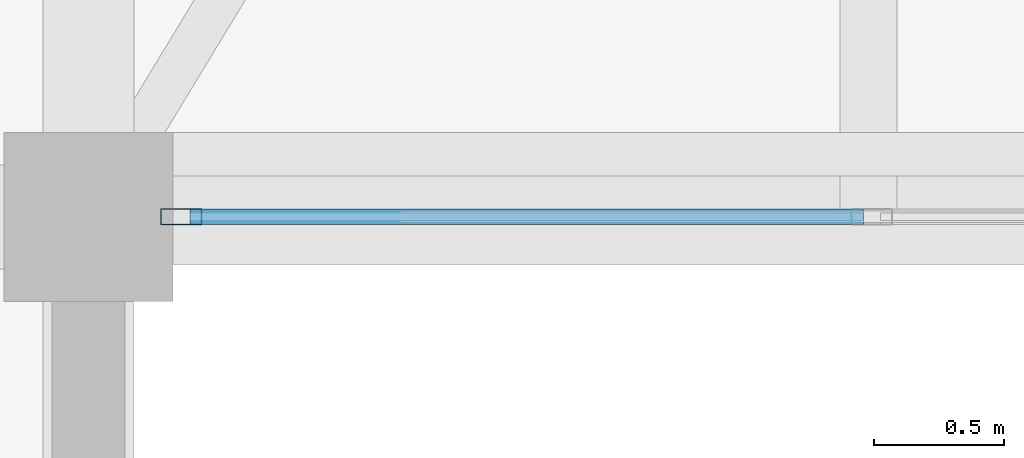
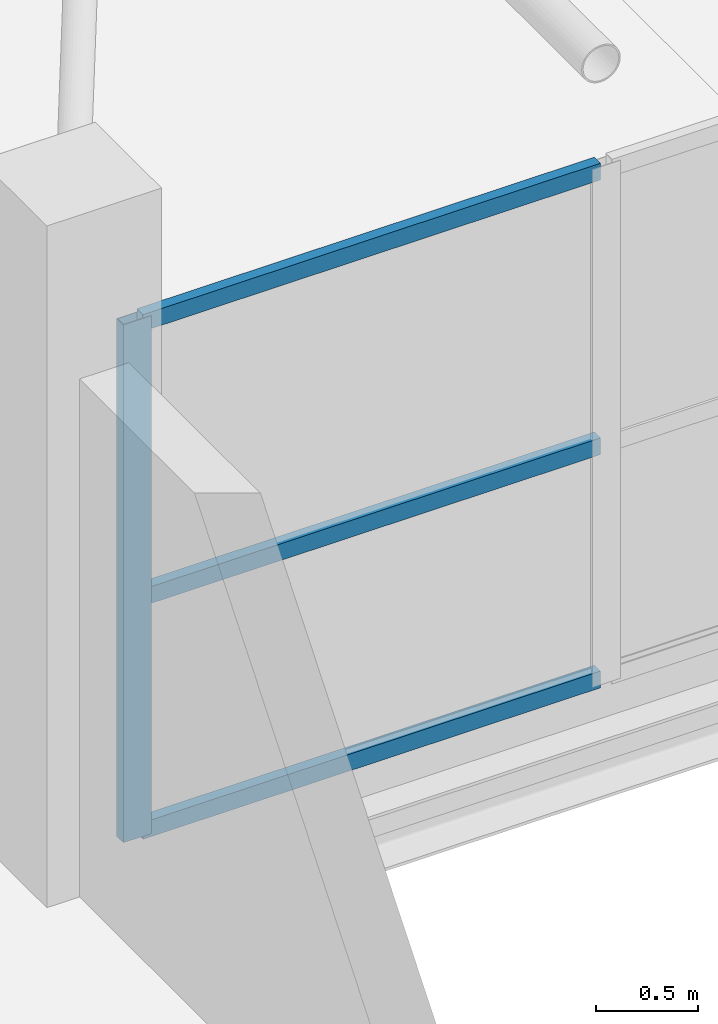
# One storey, part 9 of 66: 4 members, 1 element without a shape of its own.
"""IFC4 building model written with IfcOpenShell, lengths in metres."""

from ifc_helpers import new_model, si_unit, direction, frame, origin, origin_2d, place, context, subcontext, project, spatial, hollow_rectangle, extrude, material, layer, layer_set, material_profile, profile_set, type_object, element, aggregate, save


model = new_model("IFC4")

# Units and contexts
model_context = context("Model", 3, precision=1e-05, world=origin(), true_north=direction((0.0, 1.0)))
body_context = subcontext(model_context, "Body", "Model", "MODEL_VIEW")
ifc_project = project(units=[si_unit("LENGTHUNIT", "METRE"), si_unit("AREAUNIT", "SQUARE_METRE"), si_unit("VOLUMEUNIT", "CUBIC_METRE"), si_unit("PLANEANGLEUNIT", "RADIAN"), si_unit("MASSUNIT", "GRAM", prefix="KILO")], contexts=[model_context])

# Site, building, storey
site_placement = place(None, origin())
site = spatial("IfcSite", under=ifc_project, at=site_placement, CompositionType="ELEMENT")
building_placement = place(site_placement, origin())
building = spatial("IfcBuilding", under=site, at=building_placement, Name="Sillaruma Civic Art Gallery", CompositionType="ELEMENT")
storey_placement = place(building_placement, frame((0.0, 0.0, 62.219970703125)))
storey = spatial("IfcBuildingStorey", under=building, at=storey_placement, Name="L12", CompositionType="ELEMENT", Elevation=62.219970703125)

# Curtain wall, members
ifc_material = material(Name="Thermally Broken Extruded Aluminium 6063-T6", Category="aluminium")
ifc_layer = layer(ifc_material, 0.159912109375, Name="Thermally Broken Extruded Aluminium 6063-T6")
ifc_layer_set = layer_set([ifc_layer], Name="Thermally Broken Extruded Aluminium 6063-T6")
curtain_wall_type = type_object("IfcCurtainWallType", Name="CW-UNI-104", PredefinedType="NOTDEFINED", material=ifc_layer_set)
curtain_wall_placement = place(storey_placement, origin())
curtain_wall = element("IfcCurtainWall", 1, at=curtain_wall_placement, inside=storey, type_object=curtain_wall_type, Name="Unitised Curtain Wall CW-104 (CW-BRG-S-L12-S)", PredefinedType="NOTDEFINED")
ifc_material_profile_1 = material_profile(ifc_material, hollow_rectangle(XDim=0.06494140625, YDim=0.159912109375, WallThickness=0.00390625, at=origin_2d()), Name="CWM65x160")
ifc_profile_set_1 = profile_set([ifc_material_profile_1], Name="Thermally Broken Extruded Aluminium 6063-T6")
member_type_1 = type_object("IfcMemberType", Name="MEM-MUL-CWM65x160", PredefinedType="MULLION", material=ifc_profile_set_1)
member_1_placement = place(storey_placement, frame((92.357421875, 39.60009765625, 0.0), z_axis=(0.0, 0.0, 1.0), x_axis=(0.0, 1.0, 0.0)))
member_1 = element("IfcMember", 2, at=member_1_placement, type_object=member_type_1, Name="CW-104 mullion 1", PredefinedType="MULLION", context=body_context, shape_type="SweptSolid", body=[
    extrude(hollow_rectangle(XDim=0.06494140625, YDim=0.159912109375, WallThickness=0.00390625, at=origin_2d()), origin(), (0.0, 0.0, 1.0), 3.10009765625),
])
ifc_material_profile_2 = material_profile(ifc_material, hollow_rectangle(XDim=0.06005859375, YDim=0.10009765625, WallThickness=0.003173828125, at=origin_2d()), Name="CWT60x100")
ifc_profile_set_2 = profile_set([ifc_material_profile_2], Name="Thermally Broken Extruded Aluminium 6063-T6")
member_type_2 = type_object("IfcMemberType", Name="MEM-TRN-CWT60x100", PredefinedType="USERDEFINED", material=ifc_profile_set_2)
member_2_placement = place(storey_placement, frame((92.389892578125, 39.60009765625, 0.030029296875), z_axis=(1.0, 0.0, 0.0), x_axis=(0.0, 1.0, 0.0)))
member_2 = element("IfcMember", 3, at=member_2_placement, type_object=member_type_2, Name="CW-104 transom 1.1", ObjectType="TRANSOM", PredefinedType="USERDEFINED", context=body_context, shape_type="SweptSolid", body=[
    extrude(hollow_rectangle(XDim=0.06005859375, YDim=0.10009765625, WallThickness=0.003173828125, at=origin_2d()), origin(), (0.0, 0.0, 1.0), 2.590087890625),
])
member_3_placement = place(storey_placement, frame((92.389892578125, 39.60009765625, 1.426025390625), z_axis=(1.0, 0.0, 0.0), x_axis=(0.0, 1.0, 0.0)))
member_3 = element("IfcMember", 4, at=member_3_placement, type_object=member_type_2, Name="CW-104 transom 1.2", ObjectType="TRANSOM", PredefinedType="USERDEFINED", context=body_context, shape_type="SweptSolid", body=[
    extrude(hollow_rectangle(XDim=0.06005859375, YDim=0.10009765625, WallThickness=0.003173828125, at=origin_2d()), origin(), (0.0, 0.0, 1.0), 2.590087890625),
])
member_4_placement = place(storey_placement, frame((92.389892578125, 39.60009765625, 3.070068359375), z_axis=(1.0, 0.0, 0.0), x_axis=(0.0, 1.0, 0.0)))
member_4 = element("IfcMember", 5, at=member_4_placement, type_object=member_type_2, Name="CW-104 transom 1.3", ObjectType="TRANSOM", PredefinedType="USERDEFINED", context=body_context, shape_type="SweptSolid", body=[
    extrude(hollow_rectangle(XDim=0.06005859375, YDim=0.10009765625, WallThickness=0.003173828125, at=origin_2d()), origin(), (0.0, 0.0, 1.0), 2.590087890625),
])
aggregate(curtain_wall, [member_1, member_2, member_3, member_4])

save(model, "model.ifc")
